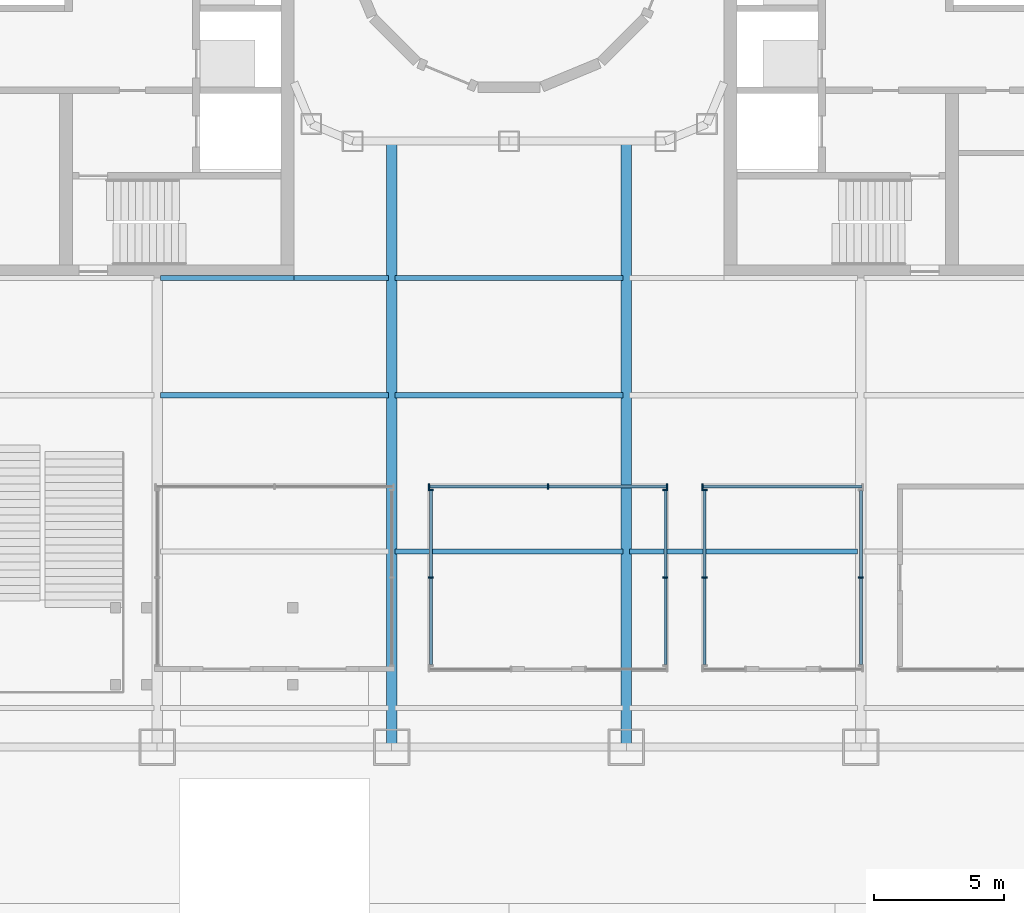
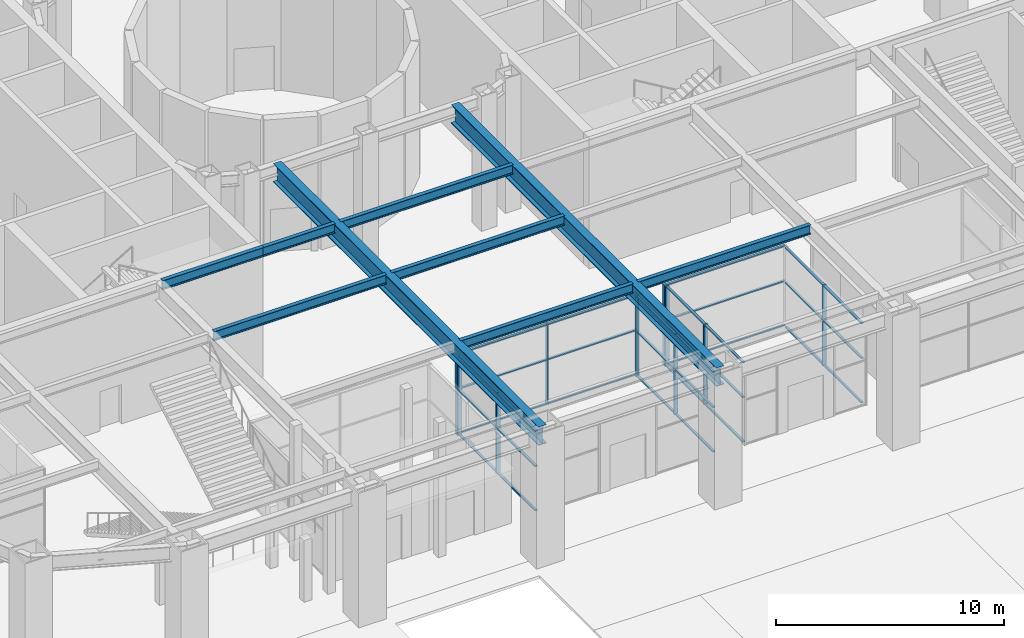
# One storey, part 4 of 20: 44 members, 9 beams, 6 elements without a shape of their own.
"""IFC4 building model written with IfcOpenShell, lengths in metres."""

from ifc_helpers import new_model, si_unit, direction, frame, origin, origin_2d, place, context, subcontext, project, spatial, rectangle, i_section, extrude, material, layer, layer_set, material_profile, profile_set, type_object, element, aggregate, save


model = new_model("IFC4")

# Units and contexts
model_context = context("Model", 3, precision=1e-05, world=origin(), true_north=direction((0.0, 1.0)))
body_context = subcontext(model_context, "Body", "Model", "MODEL_VIEW")
ifc_project = project(units=[si_unit("LENGTHUNIT", "METRE"), si_unit("AREAUNIT", "SQUARE_METRE"), si_unit("VOLUMEUNIT", "CUBIC_METRE"), si_unit("PLANEANGLEUNIT", "RADIAN"), si_unit("MASSUNIT", "GRAM", prefix="KILO")], contexts=[model_context])

# Site, building, storey
site_placement = place(None, origin())
site = spatial("IfcSite", under=ifc_project, at=site_placement, CompositionType="ELEMENT")
building_placement = place(site_placement, origin())
building = spatial("IfcBuilding", under=site, at=building_placement, Name="Siwar Civic Tower", CompositionType="ELEMENT")
storey_placement = place(building_placement, origin())
storey = spatial("IfcBuildingStorey", under=building, at=storey_placement, Name="L00", CompositionType="ELEMENT", Elevation=0.0)

# Curtain wall, member
ifc_material_1 = material(Name="Aluminium and glass", Category="aluminium")
ifc_layer = layer(ifc_material_1, 0.199951171875)
ifc_layer_set = layer_set([ifc_layer], Name="Aluminium and glass")
curtain_wall_type = type_object("IfcCurtainWallType", Name="GND-CWG", PredefinedType="NOTDEFINED", material=ifc_layer_set)
curtain_wall_1_placement = place(storey_placement, origin())
curtain_wall_1 = element("IfcCurtainWall", 1, at=curtain_wall_1_placement, inside=storey, type_object=curtain_wall_type, Name="Glazed screen P04", PredefinedType="NOTDEFINED")
ifc_material_2 = material(Name="Aluminium", Category="aluminium")
ifc_material_profile_1 = material_profile(ifc_material_2, rectangle(XDim=0.199951171875, YDim=0.06005859375, at=origin_2d()), Name="AL 200x60")
ifc_profile_set_1 = profile_set([ifc_material_profile_1], Name="Aluminium")
member_type_1 = type_object("IfcMemberType", Name="GND-CWG-MULLION", PredefinedType="MULLION", material=ifc_profile_set_1)
member_1_placement = place(storey_placement, frame((13.5, -25.0, 0.0), z_axis=(0.0, 0.0, 1.0), x_axis=(-1.0, 0.0, 0.0)))
member_1 = element("IfcMember", 2, at=member_1_placement, type_object=member_type_1, Name="CW-G mullion 2", PredefinedType="MULLION", context=body_context, shape_type="SweptSolid", body=[
    extrude(rectangle(XDim=0.199951171875, YDim=0.06005859375, at=origin_2d()), origin(), (0.0, 0.0, 1.0), 4.300048828125),
])

curtain_wall_2_placement = place(storey_placement, origin())
curtain_wall_2 = element("IfcCurtainWall", 3, at=curtain_wall_2_placement, inside=storey, type_object=curtain_wall_type, Name="Glazed screen P04", PredefinedType="NOTDEFINED")
member_2_placement = place(storey_placement, frame((7.429931640625, -21.5, 0.0), z_axis=(0.0, 0.0, 1.0), x_axis=(0.0, 1.0, 0.0)))
member_2 = element("IfcMember", 4, at=member_2_placement, type_object=member_type_1, Name="CW-G mullion 1", PredefinedType="MULLION", context=body_context, shape_type="SweptSolid", body=[
    extrude(rectangle(XDim=0.199951171875, YDim=0.06005859375, at=origin_2d()), origin(), (0.0, 0.0, 1.0), 4.300048828125),
])

# Curtain wall, members
curtain_wall_3_placement = place(storey_placement, origin())
curtain_wall_3 = element("IfcCurtainWall", 5, at=curtain_wall_3_placement, inside=storey, type_object=curtain_wall_type, Name="Glazed screen P04", PredefinedType="NOTDEFINED")
member_3_placement = place(storey_placement, frame((7.5, -25.0, 0.0), z_axis=(0.0, 0.0, 1.0), x_axis=(-1.0, 0.0, 0.0)))
member_3 = element("IfcMember", 6, at=member_3_placement, type_object=member_type_1, Name="CW-G mullion 2", PredefinedType="MULLION", context=body_context, shape_type="SweptSolid", body=[
    extrude(rectangle(XDim=0.199951171875, YDim=0.06005859375, at=origin_2d()), origin(), (0.0, 0.0, 1.0), 4.300048828125),
])
member_4_placement = place(storey_placement, frame((7.5, -21.6298828125, 0.0), z_axis=(0.0, 0.0, 1.0), x_axis=(-1.0, 0.0, 0.0)))
member_4 = element("IfcMember", 7, at=member_4_placement, type_object=member_type_1, Name="CW-G mullion 3", PredefinedType="MULLION", context=body_context, shape_type="SweptSolid", body=[
    extrude(rectangle(XDim=0.199951171875, YDim=0.06005859375, at=origin_2d()), origin(), (0.0, 0.0, 1.0), 4.300048828125),
])

curtain_wall_4_placement = place(storey_placement, origin())
curtain_wall_4 = element("IfcCurtainWall", 8, at=curtain_wall_4_placement, inside=storey, type_object=curtain_wall_type, Name="Glazed screen P05", PredefinedType="NOTDEFINED")
member_5_placement = place(storey_placement, frame((6.0, -25.0, 0.0), z_axis=(0.0, 0.0, 1.0), x_axis=(-1.0, 0.0, 0.0)))
member_5 = element("IfcMember", 9, at=member_5_placement, type_object=member_type_1, Name="CW-G mullion 2", PredefinedType="MULLION", context=body_context, shape_type="SweptSolid", body=[
    extrude(rectangle(XDim=0.199951171875, YDim=0.06005859375, at=origin_2d()), origin(), (0.0, 0.0, 1.0), 4.300048828125),
])
member_6_placement = place(storey_placement, frame((6.0, -21.6298828125, 0.0), z_axis=(0.0, 0.0, 1.0), x_axis=(-1.0, 0.0, 0.0)))
member_6 = element("IfcMember", 10, at=member_6_placement, type_object=member_type_1, Name="CW-G mullion 3", PredefinedType="MULLION", context=body_context, shape_type="SweptSolid", body=[
    extrude(rectangle(XDim=0.199951171875, YDim=0.06005859375, at=origin_2d()), origin(), (0.0, 0.0, 1.0), 4.300048828125),
])

curtain_wall_5_placement = place(storey_placement, origin())
curtain_wall_5 = element("IfcCurtainWall", 11, at=curtain_wall_5_placement, inside=storey, type_object=curtain_wall_type, Name="Glazed screen P05", PredefinedType="NOTDEFINED")
member_7_placement = place(storey_placement, frame((-3.070068359375, -21.5, 0.0), z_axis=(0.0, 0.0, 1.0), x_axis=(0.0, 1.0, 0.0)))
member_7 = element("IfcMember", 12, at=member_7_placement, type_object=member_type_1, Name="CW-G mullion 1", PredefinedType="MULLION", context=body_context, shape_type="SweptSolid", body=[
    extrude(rectangle(XDim=0.199951171875, YDim=0.06005859375, at=origin_2d()), origin(), (0.0, 0.0, 1.0), 4.300048828125),
])
member_8_placement = place(storey_placement, frame((1.5, -21.5, 0.0), z_axis=(0.0, 0.0, 1.0), x_axis=(0.0, 1.0, 0.0)))
member_8 = element("IfcMember", 13, at=member_8_placement, type_object=member_type_1, Name="CW-G mullion 2", PredefinedType="MULLION", context=body_context, shape_type="SweptSolid", body=[
    extrude(rectangle(XDim=0.199951171875, YDim=0.06005859375, at=origin_2d()), origin(), (0.0, 0.0, 1.0), 4.300048828125),
])
member_9_placement = place(storey_placement, frame((6.070068359375, -21.5, 0.0), z_axis=(0.0, 0.0, 1.0), x_axis=(0.0, 1.0, 0.0)))
member_9 = element("IfcMember", 14, at=member_9_placement, type_object=member_type_1, Name="CW-G mullion 3", PredefinedType="MULLION", context=body_context, shape_type="SweptSolid", body=[
    extrude(rectangle(XDim=0.199951171875, YDim=0.06005859375, at=origin_2d()), origin(), (0.0, 0.0, 1.0), 4.300048828125),
])

curtain_wall_6_placement = place(storey_placement, origin())
curtain_wall_6 = element("IfcCurtainWall", 15, at=curtain_wall_6_placement, inside=storey, type_object=curtain_wall_type, Name="Glazed screen P05", PredefinedType="NOTDEFINED")
member_10_placement = place(storey_placement, frame((-3.0, -25.0, 0.0), z_axis=(0.0, 0.0, 1.0), x_axis=(-1.0, 0.0, 0.0)))
member_10 = element("IfcMember", 16, at=member_10_placement, type_object=member_type_1, Name="CW-G mullion 2", PredefinedType="MULLION", context=body_context, shape_type="SweptSolid", body=[
    extrude(rectangle(XDim=0.199951171875, YDim=0.06005859375, at=origin_2d()), origin(), (0.0, 0.0, 1.0), 4.300048828125),
])
member_11_placement = place(storey_placement, frame((-3.0, -21.6298828125, 0.0), z_axis=(0.0, 0.0, 1.0), x_axis=(-1.0, 0.0, 0.0)))
member_11 = element("IfcMember", 17, at=member_11_placement, type_object=member_type_1, Name="CW-G mullion 3", PredefinedType="MULLION", context=body_context, shape_type="SweptSolid", body=[
    extrude(rectangle(XDim=0.199951171875, YDim=0.06005859375, at=origin_2d()), origin(), (0.0, 0.0, 1.0), 4.300048828125),
])

# Member
ifc_material_3 = material(Name="Aluminium", Category="aluminium")
ifc_material_profile_2 = material_profile(ifc_material_3, rectangle(XDim=0.1201171875, YDim=0.06005859375, at=origin_2d()), Name="AL 120x60")
ifc_profile_set_2 = profile_set([ifc_material_profile_2], Name="Aluminium")
member_type_2 = type_object("IfcMemberType", Name="GND-CWG-TRANSOM", PredefinedType="USERDEFINED", material=ifc_profile_set_2)
member_12_placement = place(storey_placement, frame((13.5, -28.340087890625, 0.030029296875), z_axis=(0.0, 1.0, 0.0), x_axis=(-1.0, 0.0, 0.0)))
member_12 = element("IfcMember", 18, at=member_12_placement, type_object=member_type_2, Name="CW-G transom 1.1", ObjectType="TRANSOM", PredefinedType="USERDEFINED", context=body_context, shape_type="SweptSolid", body=[
    extrude(rectangle(XDim=0.1201171875, YDim=0.06005859375, at=origin_2d()), origin(), (0.0, 0.0, 1.0), 3.31005859375),
])

member_13_placement = place(storey_placement, frame((13.5, -28.340087890625, 2.39990234375), z_axis=(0.0, 1.0, 0.0), x_axis=(-1.0, 0.0, 0.0)))
member_13 = element("IfcMember", 19, at=member_13_placement, type_object=member_type_2, Name="CW-G transom 1.2", ObjectType="TRANSOM", PredefinedType="USERDEFINED", context=body_context, shape_type="SweptSolid", body=[
    extrude(rectangle(XDim=0.1201171875, YDim=0.06005859375, at=origin_2d()), origin(), (0.0, 0.0, 1.0), 3.31005859375),
])

member_14_placement = place(storey_placement, frame((13.5, -28.340087890625, 4.27001953125), z_axis=(0.0, 1.0, 0.0), x_axis=(-1.0, 0.0, 0.0)))
member_14 = element("IfcMember", 20, at=member_14_placement, type_object=member_type_2, Name="CW-G transom 1.3", ObjectType="TRANSOM", PredefinedType="USERDEFINED", context=body_context, shape_type="SweptSolid", body=[
    extrude(rectangle(XDim=0.1201171875, YDim=0.06005859375, at=origin_2d()), origin(), (0.0, 0.0, 1.0), 3.31005859375),
])

member_15_placement = place(storey_placement, frame((13.5, -24.969970703125, 0.030029296875), z_axis=(0.0, 1.0, 0.0), x_axis=(-1.0, 0.0, 0.0)))
member_15 = element("IfcMember", 21, at=member_15_placement, type_object=member_type_2, Name="CW-G transom 2.1", ObjectType="TRANSOM", PredefinedType="USERDEFINED", context=body_context, shape_type="SweptSolid", body=[
    extrude(rectangle(XDim=0.1201171875, YDim=0.06005859375, at=origin_2d()), origin(), (0.0, 0.0, 1.0), 3.31005859375),
])

member_16_placement = place(storey_placement, frame((13.5, -24.969970703125, 2.39990234375), z_axis=(0.0, 1.0, 0.0), x_axis=(-1.0, 0.0, 0.0)))
member_16 = element("IfcMember", 22, at=member_16_placement, type_object=member_type_2, Name="CW-G transom 2.2", ObjectType="TRANSOM", PredefinedType="USERDEFINED", context=body_context, shape_type="SweptSolid", body=[
    extrude(rectangle(XDim=0.1201171875, YDim=0.06005859375, at=origin_2d()), origin(), (0.0, 0.0, 1.0), 3.31005859375),
])

member_17_placement = place(storey_placement, frame((13.5, -24.969970703125, 4.27001953125), z_axis=(0.0, 1.0, 0.0), x_axis=(-1.0, 0.0, 0.0)))
member_17 = element("IfcMember", 23, at=member_17_placement, type_object=member_type_2, Name="CW-G transom 2.3", ObjectType="TRANSOM", PredefinedType="USERDEFINED", context=body_context, shape_type="SweptSolid", body=[
    extrude(rectangle(XDim=0.1201171875, YDim=0.06005859375, at=origin_2d()), origin(), (0.0, 0.0, 1.0), 3.31005859375),
])

aggregate(curtain_wall_1, [member_1, member_12, member_13, member_14, member_15, member_16, member_17])

member_18_placement = place(storey_placement, frame((7.4599609375, -21.5, 0.030029296875), z_axis=(1.0, 0.0, 0.0), x_axis=(0.0, 1.0, 0.0)))
member_18 = element("IfcMember", 24, at=member_18_placement, type_object=member_type_2, Name="CW-G transom 1.1", ObjectType="TRANSOM", PredefinedType="USERDEFINED", context=body_context, shape_type="SweptSolid", body=[
    extrude(rectangle(XDim=0.1201171875, YDim=0.06005859375, at=origin_2d()), origin(), (0.0, 0.0, 1.0), 6.080078125),
])

member_19_placement = place(storey_placement, frame((7.4599609375, -21.5, 2.39990234375), z_axis=(1.0, 0.0, 0.0), x_axis=(0.0, 1.0, 0.0)))
member_19 = element("IfcMember", 25, at=member_19_placement, type_object=member_type_2, Name="CW-G transom 1.2", ObjectType="TRANSOM", PredefinedType="USERDEFINED", context=body_context, shape_type="SweptSolid", body=[
    extrude(rectangle(XDim=0.1201171875, YDim=0.06005859375, at=origin_2d()), origin(), (0.0, 0.0, 1.0), 6.080078125),
])

member_20_placement = place(storey_placement, frame((7.4599609375, -21.5, 4.27001953125), z_axis=(1.0, 0.0, 0.0), x_axis=(0.0, 1.0, 0.0)))
member_20 = element("IfcMember", 26, at=member_20_placement, type_object=member_type_2, Name="CW-G transom 1.3", ObjectType="TRANSOM", PredefinedType="USERDEFINED", context=body_context, shape_type="SweptSolid", body=[
    extrude(rectangle(XDim=0.1201171875, YDim=0.06005859375, at=origin_2d()), origin(), (0.0, 0.0, 1.0), 6.080078125),
])

aggregate(curtain_wall_2, [member_2, member_18, member_19, member_20])

member_21_placement = place(storey_placement, frame((7.5, -28.340087890625, 0.030029296875), z_axis=(0.0, 1.0, 0.0), x_axis=(-1.0, 0.0, 0.0)))
member_21 = element("IfcMember", 27, at=member_21_placement, type_object=member_type_2, Name="CW-G transom 1.1", ObjectType="TRANSOM", PredefinedType="USERDEFINED", context=body_context, shape_type="SweptSolid", body=[
    extrude(rectangle(XDim=0.1201171875, YDim=0.06005859375, at=origin_2d()), origin(), (0.0, 0.0, 1.0), 3.31005859375),
])

member_22_placement = place(storey_placement, frame((7.5, -28.340087890625, 2.39990234375), z_axis=(0.0, 1.0, 0.0), x_axis=(-1.0, 0.0, 0.0)))
member_22 = element("IfcMember", 28, at=member_22_placement, type_object=member_type_2, Name="CW-G transom 1.2", ObjectType="TRANSOM", PredefinedType="USERDEFINED", context=body_context, shape_type="SweptSolid", body=[
    extrude(rectangle(XDim=0.1201171875, YDim=0.06005859375, at=origin_2d()), origin(), (0.0, 0.0, 1.0), 3.31005859375),
])

member_23_placement = place(storey_placement, frame((7.5, -28.340087890625, 4.27001953125), z_axis=(0.0, 1.0, 0.0), x_axis=(-1.0, 0.0, 0.0)))
member_23 = element("IfcMember", 29, at=member_23_placement, type_object=member_type_2, Name="CW-G transom 1.3", ObjectType="TRANSOM", PredefinedType="USERDEFINED", context=body_context, shape_type="SweptSolid", body=[
    extrude(rectangle(XDim=0.1201171875, YDim=0.06005859375, at=origin_2d()), origin(), (0.0, 0.0, 1.0), 3.31005859375),
])

member_24_placement = place(storey_placement, frame((7.5, -24.969970703125, 0.030029296875), z_axis=(0.0, 1.0, 0.0), x_axis=(-1.0, 0.0, 0.0)))
member_24 = element("IfcMember", 30, at=member_24_placement, type_object=member_type_2, Name="CW-G transom 2.1", ObjectType="TRANSOM", PredefinedType="USERDEFINED", context=body_context, shape_type="SweptSolid", body=[
    extrude(rectangle(XDim=0.1201171875, YDim=0.06005859375, at=origin_2d()), origin(), (0.0, 0.0, 1.0), 3.31005859375),
])

member_25_placement = place(storey_placement, frame((7.5, -24.969970703125, 2.39990234375), z_axis=(0.0, 1.0, 0.0), x_axis=(-1.0, 0.0, 0.0)))
member_25 = element("IfcMember", 31, at=member_25_placement, type_object=member_type_2, Name="CW-G transom 2.2", ObjectType="TRANSOM", PredefinedType="USERDEFINED", context=body_context, shape_type="SweptSolid", body=[
    extrude(rectangle(XDim=0.1201171875, YDim=0.06005859375, at=origin_2d()), origin(), (0.0, 0.0, 1.0), 3.31005859375),
])

member_26_placement = place(storey_placement, frame((7.5, -24.969970703125, 4.27001953125), z_axis=(0.0, 1.0, 0.0), x_axis=(-1.0, 0.0, 0.0)))
member_26 = element("IfcMember", 32, at=member_26_placement, type_object=member_type_2, Name="CW-G transom 2.3", ObjectType="TRANSOM", PredefinedType="USERDEFINED", context=body_context, shape_type="SweptSolid", body=[
    extrude(rectangle(XDim=0.1201171875, YDim=0.06005859375, at=origin_2d()), origin(), (0.0, 0.0, 1.0), 3.31005859375),
])

aggregate(curtain_wall_3, [member_3, member_4, member_21, member_22, member_23, member_24, member_25, member_26])

member_27_placement = place(storey_placement, frame((6.0, -28.340087890625, 0.030029296875), z_axis=(0.0, 1.0, 0.0), x_axis=(-1.0, 0.0, 0.0)))
member_27 = element("IfcMember", 33, at=member_27_placement, type_object=member_type_2, Name="CW-G transom 1.1", ObjectType="TRANSOM", PredefinedType="USERDEFINED", context=body_context, shape_type="SweptSolid", body=[
    extrude(rectangle(XDim=0.1201171875, YDim=0.06005859375, at=origin_2d()), origin(), (0.0, 0.0, 1.0), 3.31005859375),
])

member_28_placement = place(storey_placement, frame((6.0, -28.340087890625, 2.39990234375), z_axis=(0.0, 1.0, 0.0), x_axis=(-1.0, 0.0, 0.0)))
member_28 = element("IfcMember", 34, at=member_28_placement, type_object=member_type_2, Name="CW-G transom 1.2", ObjectType="TRANSOM", PredefinedType="USERDEFINED", context=body_context, shape_type="SweptSolid", body=[
    extrude(rectangle(XDim=0.1201171875, YDim=0.06005859375, at=origin_2d()), origin(), (0.0, 0.0, 1.0), 3.31005859375),
])

member_29_placement = place(storey_placement, frame((6.0, -28.340087890625, 4.27001953125), z_axis=(0.0, 1.0, 0.0), x_axis=(-1.0, 0.0, 0.0)))
member_29 = element("IfcMember", 35, at=member_29_placement, type_object=member_type_2, Name="CW-G transom 1.3", ObjectType="TRANSOM", PredefinedType="USERDEFINED", context=body_context, shape_type="SweptSolid", body=[
    extrude(rectangle(XDim=0.1201171875, YDim=0.06005859375, at=origin_2d()), origin(), (0.0, 0.0, 1.0), 3.31005859375),
])

member_30_placement = place(storey_placement, frame((6.0, -24.969970703125, 0.030029296875), z_axis=(0.0, 1.0, 0.0), x_axis=(-1.0, 0.0, 0.0)))
member_30 = element("IfcMember", 36, at=member_30_placement, type_object=member_type_2, Name="CW-G transom 2.1", ObjectType="TRANSOM", PredefinedType="USERDEFINED", context=body_context, shape_type="SweptSolid", body=[
    extrude(rectangle(XDim=0.1201171875, YDim=0.06005859375, at=origin_2d()), origin(), (0.0, 0.0, 1.0), 3.31005859375),
])

member_31_placement = place(storey_placement, frame((6.0, -24.969970703125, 2.39990234375), z_axis=(0.0, 1.0, 0.0), x_axis=(-1.0, 0.0, 0.0)))
member_31 = element("IfcMember", 37, at=member_31_placement, type_object=member_type_2, Name="CW-G transom 2.2", ObjectType="TRANSOM", PredefinedType="USERDEFINED", context=body_context, shape_type="SweptSolid", body=[
    extrude(rectangle(XDim=0.1201171875, YDim=0.06005859375, at=origin_2d()), origin(), (0.0, 0.0, 1.0), 3.31005859375),
])

member_32_placement = place(storey_placement, frame((6.0, -24.969970703125, 4.27001953125), z_axis=(0.0, 1.0, 0.0), x_axis=(-1.0, 0.0, 0.0)))
member_32 = element("IfcMember", 38, at=member_32_placement, type_object=member_type_2, Name="CW-G transom 2.3", ObjectType="TRANSOM", PredefinedType="USERDEFINED", context=body_context, shape_type="SweptSolid", body=[
    extrude(rectangle(XDim=0.1201171875, YDim=0.06005859375, at=origin_2d()), origin(), (0.0, 0.0, 1.0), 3.31005859375),
])

aggregate(curtain_wall_4, [member_5, member_6, member_27, member_28, member_29, member_30, member_31, member_32])

member_33_placement = place(storey_placement, frame((-3.0400390625, -21.5, 0.030029296875), z_axis=(1.0, 0.0, 0.0), x_axis=(0.0, 1.0, 0.0)))
member_33 = element("IfcMember", 39, at=member_33_placement, type_object=member_type_2, Name="CW-G transom 1.1", ObjectType="TRANSOM", PredefinedType="USERDEFINED", context=body_context, shape_type="SweptSolid", body=[
    extrude(rectangle(XDim=0.1201171875, YDim=0.06005859375, at=origin_2d()), origin(), (0.0, 0.0, 1.0), 4.510009765625),
])

member_34_placement = place(storey_placement, frame((-3.0400390625, -21.5, 2.39990234375), z_axis=(1.0, 0.0, 0.0), x_axis=(0.0, 1.0, 0.0)))
member_34 = element("IfcMember", 40, at=member_34_placement, type_object=member_type_2, Name="CW-G transom 1.2", ObjectType="TRANSOM", PredefinedType="USERDEFINED", context=body_context, shape_type="SweptSolid", body=[
    extrude(rectangle(XDim=0.1201171875, YDim=0.06005859375, at=origin_2d()), origin(), (0.0, 0.0, 1.0), 4.510009765625),
])

member_35_placement = place(storey_placement, frame((-3.0400390625, -21.5, 4.27001953125), z_axis=(1.0, 0.0, 0.0), x_axis=(0.0, 1.0, 0.0)))
member_35 = element("IfcMember", 41, at=member_35_placement, type_object=member_type_2, Name="CW-G transom 1.3", ObjectType="TRANSOM", PredefinedType="USERDEFINED", context=body_context, shape_type="SweptSolid", body=[
    extrude(rectangle(XDim=0.1201171875, YDim=0.06005859375, at=origin_2d()), origin(), (0.0, 0.0, 1.0), 4.510009765625),
])

member_36_placement = place(storey_placement, frame((1.530029296875, -21.5, 0.030029296875), z_axis=(1.0, 0.0, 0.0), x_axis=(0.0, 1.0, 0.0)))
member_36 = element("IfcMember", 42, at=member_36_placement, type_object=member_type_2, Name="CW-G transom 2.1", ObjectType="TRANSOM", PredefinedType="USERDEFINED", context=body_context, shape_type="SweptSolid", body=[
    extrude(rectangle(XDim=0.1201171875, YDim=0.06005859375, at=origin_2d()), origin(), (0.0, 0.0, 1.0), 4.510009765625),
])

member_37_placement = place(storey_placement, frame((1.530029296875, -21.5, 2.39990234375), z_axis=(1.0, 0.0, 0.0), x_axis=(0.0, 1.0, 0.0)))
member_37 = element("IfcMember", 43, at=member_37_placement, type_object=member_type_2, Name="CW-G transom 2.2", ObjectType="TRANSOM", PredefinedType="USERDEFINED", context=body_context, shape_type="SweptSolid", body=[
    extrude(rectangle(XDim=0.1201171875, YDim=0.06005859375, at=origin_2d()), origin(), (0.0, 0.0, 1.0), 4.510009765625),
])

member_38_placement = place(storey_placement, frame((1.530029296875, -21.5, 4.27001953125), z_axis=(1.0, 0.0, 0.0), x_axis=(0.0, 1.0, 0.0)))
member_38 = element("IfcMember", 44, at=member_38_placement, type_object=member_type_2, Name="CW-G transom 2.3", ObjectType="TRANSOM", PredefinedType="USERDEFINED", context=body_context, shape_type="SweptSolid", body=[
    extrude(rectangle(XDim=0.1201171875, YDim=0.06005859375, at=origin_2d()), origin(), (0.0, 0.0, 1.0), 4.510009765625),
])

aggregate(curtain_wall_5, [member_7, member_8, member_9, member_33, member_34, member_35, member_36, member_37, member_38])

member_39_placement = place(storey_placement, frame((-3.0, -28.340087890625, 0.030029296875), z_axis=(0.0, 1.0, 0.0), x_axis=(-1.0, 0.0, 0.0)))
member_39 = element("IfcMember", 45, at=member_39_placement, type_object=member_type_2, Name="CW-G transom 1.1", ObjectType="TRANSOM", PredefinedType="USERDEFINED", context=body_context, shape_type="SweptSolid", body=[
    extrude(rectangle(XDim=0.1201171875, YDim=0.06005859375, at=origin_2d()), origin(), (0.0, 0.0, 1.0), 3.31005859375),
])

member_40_placement = place(storey_placement, frame((-3.0, -28.340087890625, 2.39990234375), z_axis=(0.0, 1.0, 0.0), x_axis=(-1.0, 0.0, 0.0)))
member_40 = element("IfcMember", 46, at=member_40_placement, type_object=member_type_2, Name="CW-G transom 1.2", ObjectType="TRANSOM", PredefinedType="USERDEFINED", context=body_context, shape_type="SweptSolid", body=[
    extrude(rectangle(XDim=0.1201171875, YDim=0.06005859375, at=origin_2d()), origin(), (0.0, 0.0, 1.0), 3.31005859375),
])

member_41_placement = place(storey_placement, frame((-3.0, -28.340087890625, 4.27001953125), z_axis=(0.0, 1.0, 0.0), x_axis=(-1.0, 0.0, 0.0)))
member_41 = element("IfcMember", 47, at=member_41_placement, type_object=member_type_2, Name="CW-G transom 1.3", ObjectType="TRANSOM", PredefinedType="USERDEFINED", context=body_context, shape_type="SweptSolid", body=[
    extrude(rectangle(XDim=0.1201171875, YDim=0.06005859375, at=origin_2d()), origin(), (0.0, 0.0, 1.0), 3.31005859375),
])

member_42_placement = place(storey_placement, frame((-3.0, -24.969970703125, 0.030029296875), z_axis=(0.0, 1.0, 0.0), x_axis=(-1.0, 0.0, 0.0)))
member_42 = element("IfcMember", 48, at=member_42_placement, type_object=member_type_2, Name="CW-G transom 2.1", ObjectType="TRANSOM", PredefinedType="USERDEFINED", context=body_context, shape_type="SweptSolid", body=[
    extrude(rectangle(XDim=0.1201171875, YDim=0.06005859375, at=origin_2d()), origin(), (0.0, 0.0, 1.0), 3.31005859375),
])

member_43_placement = place(storey_placement, frame((-3.0, -24.969970703125, 2.39990234375), z_axis=(0.0, 1.0, 0.0), x_axis=(-1.0, 0.0, 0.0)))
member_43 = element("IfcMember", 49, at=member_43_placement, type_object=member_type_2, Name="CW-G transom 2.2", ObjectType="TRANSOM", PredefinedType="USERDEFINED", context=body_context, shape_type="SweptSolid", body=[
    extrude(rectangle(XDim=0.1201171875, YDim=0.06005859375, at=origin_2d()), origin(), (0.0, 0.0, 1.0), 3.31005859375),
])

member_44_placement = place(storey_placement, frame((-3.0, -24.969970703125, 4.27001953125), z_axis=(0.0, 1.0, 0.0), x_axis=(-1.0, 0.0, 0.0)))
member_44 = element("IfcMember", 50, at=member_44_placement, type_object=member_type_2, Name="CW-G transom 2.3", ObjectType="TRANSOM", PredefinedType="USERDEFINED", context=body_context, shape_type="SweptSolid", body=[
    extrude(rectangle(XDim=0.1201171875, YDim=0.06005859375, at=origin_2d()), origin(), (0.0, 0.0, 1.0), 3.31005859375),
])

aggregate(curtain_wall_6, [member_10, member_11, member_39, member_40, member_41, member_42, member_43, member_44])

# Beams
ifc_material_4 = material(Name="Steel S355", Category="steel")
ifc_material_profile_3 = material_profile(ifc_material_4, i_section(OverallWidth=0.199951171875, OverallDepth=0.5, WebThickness=0.01025390625, FlangeThickness=0.01611328125, FilletRadius=0.02099609375, at=origin_2d()), Name="IPE500")
ifc_profile_set_3 = profile_set([ifc_material_profile_3], Name="Steel S355")
beam_type_1 = type_object("IfcBeamType", Name="STR-FB-IPE500", PredefinedType="JOIST", material=ifc_profile_set_3)
for number, where, z_axis, x_axis, name in (
    (51, (-4.3701171875, -24.0, 6.75), (1.0, 0.0, 0.0), (0.0, 1.0, 0.0), "L00/bm/F010"),
    (52, (4.6298828125, -24.0, 6.75), (1.0, 0.0, 0.0), (0.0, 1.0, 0.0), "L00/bm/F011"),
    (53, (-13.3701171875, -18.0, 6.75), (1.0, 0.0, 0.0), (0.0, 1.0, 0.0), "L00/bm/F015"),
    (54, (-4.3701171875, -18.0, 6.75), (1.0, 0.0, 0.0), (0.0, 1.0, 0.0), "L00/bm/F016"),
):
    element("IfcBeam", number, at=place(storey_placement, frame(where, z_axis=z_axis, x_axis=x_axis)), inside=storey, type_object=beam_type_1, Name=name, PredefinedType="JOIST", context=body_context, shape_type="SweptSolid", body=[
        extrude(i_section(OverallWidth=0.199951171875, OverallDepth=0.5, WebThickness=0.01025390625, FlangeThickness=0.01611328125, FilletRadius=0.02099609375, at=origin_2d()), origin(), (0.0, 0.0, 1.0), 8.740234375),
    ])
beam_1_placement = place(storey_placement, frame((-13.3701171875, -13.5, 6.75), z_axis=(1.0, 0.0, 0.0), x_axis=(0.0, 1.0, 0.0)))
element("IfcBeam", 55, at=beam_1_placement, inside=storey, type_object=beam_type_1, Name="L00/bm/F021", PredefinedType="JOIST", context=body_context, shape_type="SweptSolid", body=[
    extrude(i_section(OverallWidth=0.199951171875, OverallDepth=0.5, WebThickness=0.01025390625, FlangeThickness=0.01611328125, FilletRadius=0.02099609375, at=origin_2d()), origin(), (0.0, 0.0, 1.0), 5.1201171875),
])
beam_2_placement = place(storey_placement, frame((-8.25, -13.5, 6.75), z_axis=(1.0, 0.0, 0.0), x_axis=(0.0, 1.0, 0.0)))
element("IfcBeam", 56, at=beam_2_placement, inside=storey, type_object=beam_type_1, Name="L00/bm/F022", PredefinedType="JOIST", context=body_context, shape_type="SweptSolid", body=[
    extrude(i_section(OverallWidth=0.199951171875, OverallDepth=0.5, WebThickness=0.01025390625, FlangeThickness=0.01611328125, FilletRadius=0.02099609375, at=origin_2d()), origin(), (0.0, 0.0, 1.0), 3.6201171875),
])
beam_3_placement = place(storey_placement, frame((-4.3701171875, -13.5, 6.75), z_axis=(1.0, 0.0, 0.0), x_axis=(0.0, 1.0, 0.0)))
element("IfcBeam", 57, at=beam_3_placement, inside=storey, type_object=beam_type_1, Name="L00/bm/F023", PredefinedType="JOIST", context=body_context, shape_type="SweptSolid", body=[
    extrude(i_section(OverallWidth=0.199951171875, OverallDepth=0.5, WebThickness=0.01025390625, FlangeThickness=0.01611328125, FilletRadius=0.02099609375, at=origin_2d()), origin(), (0.0, 0.0, 1.0), 8.740234375),
])
ifc_material_5 = material(Name="Steel S355", Category="steel")
ifc_material_profile_4 = material_profile(ifc_material_5, i_section(OverallWidth=0.39990234375, OverallDepth=1.0, WebThickness=0.01611328125, FlangeThickness=0.0400390625, at=origin_2d()), Name="PG1000x400x16x40")
ifc_profile_set_4 = profile_set([ifc_material_profile_4], Name="Steel S355")
beam_type_2 = type_object("IfcBeamType", Name="STR-PG-PG1000x400x16x40", PredefinedType="BEAM", material=ifc_profile_set_4)
for number, where, z_axis, x_axis, name in (
    (58, (-4.5, -31.5, 6.5), (0.0, 1.0, 0.0), (-1.0, 0.0, 0.0), "L00/bm/G05"),
    (59, (4.5, -31.5, 6.5), (0.0, 1.0, 0.0), (-1.0, 0.0, 0.0), "L00/bm/G07"),
):
    element("IfcBeam", number, at=place(storey_placement, frame(where, z_axis=z_axis, x_axis=x_axis)), inside=storey, type_object=beam_type_2, Name=name, PredefinedType="BEAM", context=body_context, shape_type="SweptSolid", body=[
        extrude(i_section(OverallWidth=0.39990234375, OverallDepth=1.0, WebThickness=0.01611328125, FlangeThickness=0.0400390625, at=origin_2d()), origin(), (0.0, 0.0, 1.0), 23.25),
    ])

save(model, "model.ifc")
